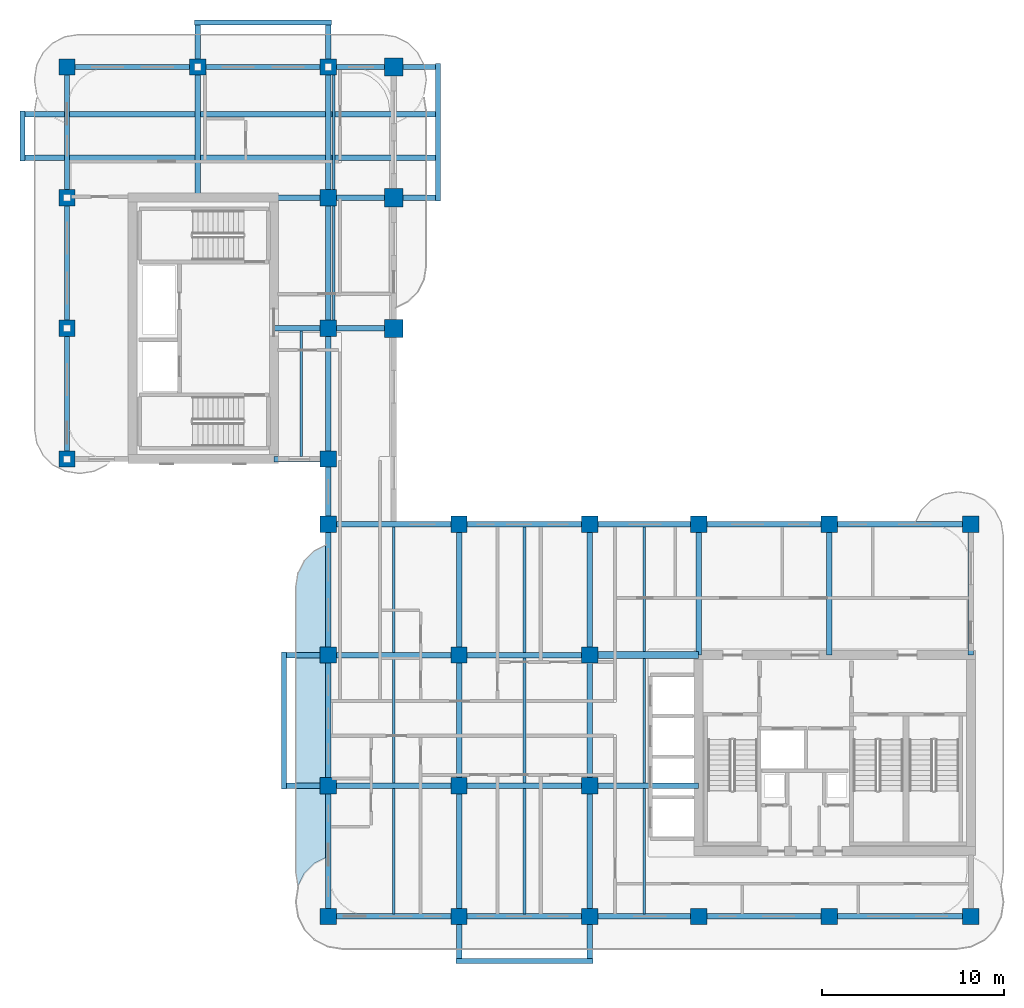
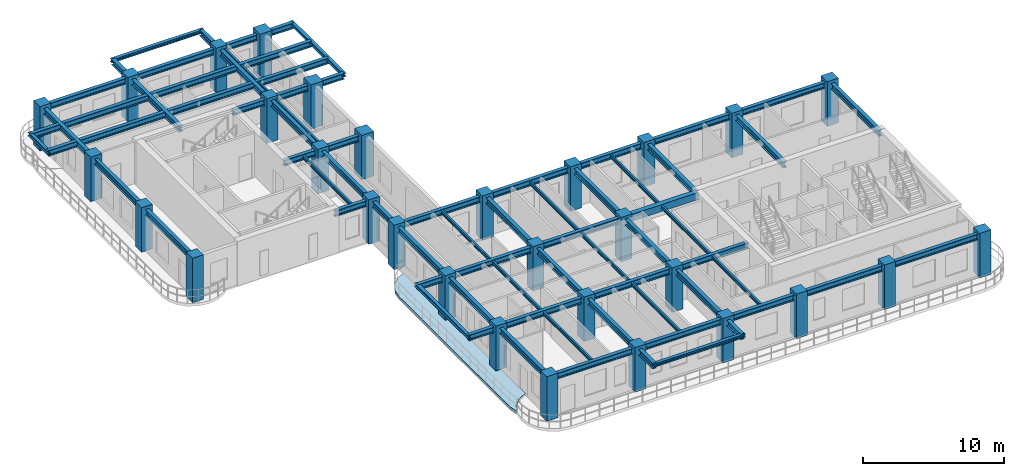
# One storey, part 1 of 14: 60 beams, 30 columns, 1 slab.
"""IFC4 building model written with IfcOpenShell, lengths in metres."""

from ifc_helpers import new_model, si_unit, derived_unit, direction, frame, origin, origin_2d, place, context, subcontext, project, spatial, polyline, rectangle, i_section, outline, extrude, source, transform, mapped, material, layer, layer_set, material_profile, profile_set, type_object, type_shapes, element, save


model = new_model("IFC4")

# Units and contexts
model_context = context("Model", 3, precision=1e-05, world=origin(), true_north=direction((0.0, 1.0)))
body_context = subcontext(model_context, "Body", "Model", "MODEL_VIEW")
ifc_project = project(units=[si_unit("LENGTHUNIT", "METRE"), si_unit("AREAUNIT", "SQUARE_METRE"), si_unit("VOLUMEUNIT", "CUBIC_METRE"), si_unit("PLANEANGLEUNIT", "RADIAN"), si_unit("MASSUNIT", "GRAM", prefix="KILO"), si_unit("THERMODYNAMICTEMPERATUREUNIT", "KELVIN"), si_unit("POWERUNIT", "WATT"), derived_unit("THERMALTRANSMITTANCEUNIT", [(si_unit("POWERUNIT", "WATT"), 1), (si_unit("AREAUNIT", "SQUARE_METRE"), -1), (si_unit("THERMODYNAMICTEMPERATUREUNIT", "KELVIN"), -1)])], contexts=[model_context])

# Site, building, storey
site_placement = place(None, origin())
site = spatial("IfcSite", under=ifc_project, at=site_placement, CompositionType="ELEMENT")
building_placement = place(site_placement, origin())
building = spatial("IfcBuilding", under=site, at=building_placement, Name="Zahravan Archway Hotel and Residences", CompositionType="ELEMENT")
storey_placement = place(building_placement, frame((0.0, 0.0, 205.75)))
storey = spatial("IfcBuildingStorey", under=building, at=storey_placement, Name="L51", CompositionType="ELEMENT", Elevation=205.75)

# Columns
ifc_material_1 = material(Name="Concrete C60/75", Category="concrete")
ifc_material_profile_1 = material_profile(ifc_material_1, rectangle(XDim=1.0, YDim=1.0, at=origin_2d()), Name="RC-COL-1000x1000", Category="concrete")
ifc_profile_set_1 = profile_set([ifc_material_profile_1], Name="Concrete C60/75")
column_type_1 = type_object("IfcColumnType", Name="COL-RC-1000", PredefinedType="COLUMN", material=ifc_profile_set_1)
shared_shape_1 = source(origin(), body_context, "Body", "SweptSolid", [
    extrude(rectangle(XDim=1.0, YDim=1.0, at=origin_2d()), origin(), (0.0, 0.0, 1.0), 3.85009765625),
])
for number, where, z_axis, x_axis, name in (
    (1, (18.0, 32.39990234375, 0.0), (0.0, 0.0, 1.0), (1.0, 0.0, 0.0), "L51 Column 3B-F"),
    (2, (18.0, 39.60009765625, 0.0), (0.0, 0.0, 1.0), (1.0, 0.0, 0.0), "L51 Column 3B-G"),
    (3, (18.0, 46.800048828125, 0.0), (0.0, 0.0, 1.0), (1.0, 0.0, 0.0), "L51 Column 3B-H"),
):
    element("IfcColumn", number, at=place(storey_placement, frame(where, z_axis=z_axis, x_axis=x_axis)), inside=storey, type_object=column_type_1, Name=name, PredefinedType="COLUMN", context=body_context, shape_type="MappedRepresentation", body=[
        mapped(shared_shape_1, transform((0.0, 0.0, 0.0), scale=1.0)),
    ])
ifc_material_profile_2 = material_profile(ifc_material_1, rectangle(XDim=0.89990234375, YDim=0.89990234375, at=origin_2d()), Name="RC-COL-900x900", Category="concrete")
ifc_profile_set_2 = profile_set([ifc_material_profile_2], Name="Concrete C60/75")
column_type_2 = type_object("IfcColumnType", Name="COL-RC-900", PredefinedType="COLUMN", material=ifc_profile_set_2)
shared_shape_2 = source(origin(), body_context, "Body", "SweptSolid", [
    extrude(rectangle(XDim=0.89990234375, YDim=0.89990234375, at=origin_2d()), origin(), (0.0, 0.0, 1.0), 3.85009765625),
])
type_shapes(column_type_2, [shared_shape_2])
for number, where, z_axis, x_axis, name in (
    (4, (0.0, 25.199951171875, 0.0), (0.0, 0.0, 1.0), (1.0, 0.0, 0.0), "L51 Column 1-E"),
    (5, (0.0, 32.39990234375, 0.0), (0.0, 0.0, 1.0), (1.0, 0.0, 0.0), "L51 Column 1-F"),
    (6, (0.0, 39.60009765625, 0.0), (0.0, 0.0, 1.0), (1.0, 0.0, 0.0), "L51 Column 1-G"),
    (7, (0.0, 46.800048828125, 0.0), (0.0, 0.0, 1.0), (1.0, 0.0, 0.0), "L51 Column 1-H"),
    (8, (7.199951171875, 46.800048828125, 0.0), (0.0, 0.0, 1.0), (1.0, 0.0, 0.0), "L51 Column 2-H"),
    (9, (14.39990234375, 0.0, 0.0), (0.0, 0.0, 1.0), (1.0, 0.0, 0.0), "L51 Column 3-A"),
    (10, (14.39990234375, 7.199951171875, 0.0), (0.0, 0.0, 1.0), (1.0, 0.0, 0.0), "L51 Column 3-B"),
    (11, (14.39990234375, 14.39990234375, 0.0), (0.0, 0.0, 1.0), (1.0, 0.0, 0.0), "L51 Column 3-C"),
    (12, (14.39990234375, 21.60009765625, 0.0), (0.0, 0.0, 1.0), (1.0, 0.0, 0.0), "L51 Column 3-D"),
    (13, (14.39990234375, 25.199951171875, 0.0), (0.0, 0.0, 1.0), (1.0, 0.0, 0.0), "L51 Column 3-E"),
    (14, (14.39990234375, 32.39990234375, 0.0), (0.0, 0.0, 1.0), (1.0, 0.0, 0.0), "L51 Column 3-F"),
    (15, (14.39990234375, 39.60009765625, 0.0), (0.0, 0.0, 1.0), (1.0, 0.0, 0.0), "L51 Column 3-G"),
    (16, (14.39990234375, 46.800048828125, 0.0), (0.0, 0.0, 1.0), (1.0, 0.0, 0.0), "L51 Column 3-H"),
    (17, (21.60009765625, 0.0, 0.0), (0.0, 0.0, 1.0), (1.0, 0.0, 0.0), "L51 Column 4-A"),
    (18, (21.60009765625, 7.199951171875, 0.0), (0.0, 0.0, 1.0), (1.0, 0.0, 0.0), "L51 Column 4-B"),
    (19, (21.60009765625, 14.39990234375, 0.0), (0.0, 0.0, 1.0), (1.0, 0.0, 0.0), "L51 Column 4-C"),
    (20, (21.60009765625, 21.60009765625, 0.0), (0.0, 0.0, 1.0), (1.0, 0.0, 0.0), "L51 Column 4-D"),
    (21, (28.800048828125, 0.0, 0.0), (0.0, 0.0, 1.0), (1.0, 0.0, 0.0), "L51 Column 5-A"),
    (22, (28.800048828125, 7.199951171875, 0.0), (0.0, 0.0, 1.0), (1.0, 0.0, 0.0), "L51 Column 5-B"),
    (23, (28.800048828125, 14.39990234375, 0.0), (0.0, 0.0, 1.0), (1.0, 0.0, 0.0), "L51 Column 5-C"),
    (24, (28.800048828125, 21.60009765625, 0.0), (0.0, 0.0, 1.0), (1.0, 0.0, 0.0), "L51 Column 5-D"),
    (25, (34.800048828125, 0.0, 0.0), (0.0, 0.0, 1.0), (1.0, 0.0, 0.0), "L51 Column 6-A"),
    (26, (34.800048828125, 21.60009765625, 0.0), (0.0, 0.0, 1.0), (1.0, 0.0, 0.0), "L51 Column 6-D"),
    (27, (42.0, 0.0, 0.0), (0.0, 0.0, 1.0), (1.0, 0.0, 0.0), "L51 Column 7-A"),
    (28, (42.0, 21.60009765625, 0.0), (0.0, 0.0, 1.0), (1.0, 0.0, 0.0), "L51 Column 7-D"),
    (29, (49.800048828125, 0.0, 0.0), (0.0, 0.0, 1.0), (1.0, 0.0, 0.0), "L51 Column 8-A"),
    (30, (49.800048828125, 21.60009765625, 0.0), (0.0, 0.0, 1.0), (1.0, 0.0, 0.0), "L51 Column 8-D"),
):
    element("IfcColumn", number, at=place(storey_placement, frame(where, z_axis=z_axis, x_axis=x_axis)), inside=storey, type_object=column_type_2, Name=name, PredefinedType="COLUMN", context=body_context, shape_type="MappedRepresentation", body=[
        mapped(shared_shape_2, transform((0.0, 0.0, 0.0), scale=1.0)),
    ])

# Beams
ifc_material_2 = material(Name="Structural Steel S355JR", Category="steel")
ifc_material_profile_3 = material_profile(ifc_material_2, i_section(OverallWidth=0.280029296875, OverallDepth=0.280029296875, WebThickness=0.010498046875, FlangeThickness=0.01806640625, FilletRadius=0.02392578125, at=origin_2d()), Name="HEB 280", Category="steel")
ifc_profile_set_3 = profile_set([ifc_material_profile_3], Name="Structural Steel S355JR")
beam_type_1 = type_object("IfcBeamType", Name="BM-SPN-HEB280", PredefinedType="SPANDREL", material=ifc_profile_set_3)
shared_shape_3 = source(origin(), body_context, "Body", "SweptSolid", [
    extrude(i_section(OverallWidth=0.280029296875, OverallDepth=0.280029296875, WebThickness=0.010498046875, FlangeThickness=0.01806640625, FilletRadius=0.02392578125, at=origin_2d()), origin(), (0.0, 0.0, 1.0), 7.56005859375),
])
type_shapes(beam_type_1, [shared_shape_3])
for number, where, z_axis, x_axis, name in (
    (31, (11.949951171875, 7.02001953125, 3.4599609375), (0.0, 1.0, 0.0), (-1.0, 0.0, 0.0), "L52 WA Balcony Edge Spandrel"),
    (32, (20.449951171875, 39.419921875, 3.4599609375), (0.0, 1.0, 0.0), (-1.0, 0.0, 0.0), "L52 EB Balcony Edge Spandrel"),
    (33, (21.419921875, -2.449951171875, 3.4599609375), (1.0, 0.0, 0.0), (0.0, 1.0, 0.0), "L52 SA Balcony Edge Spandrel"),
    (34, (7.02001953125, 49.25, 3.4599609375), (1.0, 0.0, 0.0), (0.0, 1.0, 0.0), "L52 NB Balcony Edge Spandrel"),
):
    element("IfcBeam", number, at=place(storey_placement, frame(where, z_axis=z_axis, x_axis=x_axis)), inside=storey, type_object=beam_type_1, Name=name, PredefinedType="SPANDREL", context=body_context, shape_type="MappedRepresentation", body=[
        mapped(shared_shape_3, transform((0.0, 0.0, 0.0), scale=1.0)),
    ])
shared_shape_4 = source(origin(), body_context, "Body", "SweptSolid", [
    extrude(i_section(OverallWidth=0.280029296875, OverallDepth=0.280029296875, WebThickness=0.010498046875, FlangeThickness=0.01806640625, FilletRadius=0.02392578125, at=origin_2d()), origin(), (0.0, 0.0, 1.0), 2.759765625),
])
beam_1_placement = place(storey_placement, frame((-2.449951171875, 41.6201171875, 3.4599609375), z_axis=(0.0, 1.0, 0.0), x_axis=(-1.0, 0.0, 0.0)))
element("IfcBeam", 35, at=beam_1_placement, inside=storey, type_object=beam_type_1, Name="L52 WB Balcony Edge Spandrel", PredefinedType="SPANDREL", context=body_context, shape_type="MappedRepresentation", body=[
    mapped(shared_shape_4, transform((0.0, 0.0, 0.0), scale=1.0)),
])
ifc_material_profile_4 = material_profile(ifc_material_1, rectangle(XDim=0.39990234375, YDim=0.60009765625, at=origin_2d()), Name="RC-LNT-400x600", Category="concrete")
ifc_profile_set_4 = profile_set([ifc_material_profile_4], Name="Concrete C60/75")
beam_type_2 = type_object("IfcBeamType", Name="LNT-RC-400x600", PredefinedType="LINTEL", material=ifc_profile_set_4)
shared_shape_5 = source(origin(), body_context, "Body", "SweptSolid", [
    extrude(rectangle(XDim=0.39990234375, YDim=0.60009765625, at=origin_2d()), origin(), (0.0, 0.0, 1.0), 6.0),
])
type_shapes(beam_type_2, [shared_shape_5])
beam_2_placement = place(storey_placement, frame((28.800048828125, 14.39990234375, 3.300048828125), z_axis=(1.0, 0.0, 0.0), x_axis=(0.0, 1.0, 0.0)))
element("IfcBeam", 36, at=beam_2_placement, inside=storey, type_object=beam_type_2, Name="L51 Core A Coupling Lintel Beam", PredefinedType="LINTEL", context=body_context, shape_type="MappedRepresentation", body=[
    mapped(shared_shape_5, transform((0.0, 0.0, 0.0), scale=1.0)),
])
ifc_material_profile_5 = material_profile(ifc_material_2, i_section(OverallWidth=0.300048828125, OverallDepth=0.5, WebThickness=0.014404296875, FlangeThickness=0.028076171875, FilletRadius=0.027099609375, at=origin_2d()), Name="HEB 500", Category="steel")
ifc_profile_set_5 = profile_set([ifc_material_profile_5], Name="Structural Steel S355JR")
beam_type_3 = type_object("IfcBeamType", Name="BM-PRI-HEB500", PredefinedType="BEAM", material=ifc_profile_set_5)
shared_shape_6 = source(origin(), body_context, "Body", "SweptSolid", [
    extrude(i_section(OverallWidth=0.300048828125, OverallDepth=0.5, WebThickness=0.014404296875, FlangeThickness=0.028076171875, FilletRadius=0.027099609375, at=origin_2d()), origin(), (0.0, 0.0, 1.0), 7.2001953125),
])
type_shapes(beam_type_3, [shared_shape_6])
for number, where, z_axis, x_axis, name in (
    (37, (14.39990234375, 0.0, 3.35009765625), (1.0, 0.0, 0.0), (0.0, 1.0, 0.0), "L51 Primary Girder EW-01"),
    (38, (14.39990234375, 21.60009765625, 3.35009765625), (1.0, 0.0, 0.0), (0.0, 1.0, 0.0), "L51 Primary Girder EW-11"),
    (39, (0.0, 32.39990234375, 3.35009765625), (0.0, 1.0, 0.0), (-1.0, 0.0, 0.0), "L51 Primary Girder NS-24"),
    (40, (14.39990234375, 14.39990234375, 3.35009765625), (0.0, 1.0, 0.0), (-1.0, 0.0, 0.0), "L51 Primary Girder NS-29"),
    (41, (14.39990234375, 32.39990234375, 3.35009765625), (0.0, 1.0, 0.0), (-1.0, 0.0, 0.0), "L51 Primary Girder NS-32"),
    (42, (21.60009765625, 14.39990234375, 3.35009765625), (0.0, 1.0, 0.0), (-1.0, 0.0, 0.0), "L51 Primary Girder NS-36"),
    (43, (28.800048828125, 14.39990234375, 3.35009765625), (0.0, 1.0, 0.0), (-1.0, 0.0, 0.0), "L51 Primary Girder NS-39"),
    (44, (34.800048828125, 14.39990234375, 3.35009765625), (0.0, 1.0, 0.0), (-1.0, 0.0, 0.0), "L51 Primary Girder NS-40"),
    (45, (42.0, 14.39990234375, 3.35009765625), (0.0, 1.0, 0.0), (-1.0, 0.0, 0.0), "L51 Primary Girder NS-41"),
    (46, (49.800048828125, 14.39990234375, 3.35009765625), (0.0, 1.0, 0.0), (-1.0, 0.0, 0.0), "L51 Primary Girder NS-42"),
):
    element("IfcBeam", number, at=place(storey_placement, frame(where, z_axis=z_axis, x_axis=x_axis)), inside=storey, type_object=beam_type_3, Name=name, PredefinedType="BEAM", context=body_context, shape_type="MappedRepresentation", body=[
        mapped(shared_shape_6, transform((0.0, 0.0, 0.0), scale=1.0)),
    ])
shared_shape_7 = source(origin(), body_context, "Body", "SweptSolid", [
    extrude(i_section(OverallWidth=0.300048828125, OverallDepth=0.5, WebThickness=0.014404296875, FlangeThickness=0.028076171875, FilletRadius=0.027099609375, at=origin_2d()), origin(), (0.0, 0.0, 1.0), 7.199951171875),
])
for number, where, z_axis, x_axis, name in (
    (47, (21.60009765625, 0.0, 3.35009765625), (1.0, 0.0, 0.0), (0.0, 1.0, 0.0), "L51 Primary Girder EW-02"),
    (48, (34.800048828125, 0.0, 3.35009765625), (1.0, 0.0, 0.0), (0.0, 1.0, 0.0), "L51 Primary Girder EW-04"),
    (49, (21.60009765625, 7.199951171875, 3.35009765625), (1.0, 0.0, 0.0), (0.0, 1.0, 0.0), "L51 Primary Girder EW-07"),
    (50, (21.60009765625, 14.39990234375, 3.35009765625), (1.0, 0.0, 0.0), (0.0, 1.0, 0.0), "L51 Primary Girder EW-10"),
    (51, (21.60009765625, 21.60009765625, 3.35009765625), (1.0, 0.0, 0.0), (0.0, 1.0, 0.0), "L51 Primary Girder EW-12"),
    (52, (34.800048828125, 21.60009765625, 3.35009765625), (1.0, 0.0, 0.0), (0.0, 1.0, 0.0), "L51 Primary Girder EW-14"),
    (53, (0.0, 46.800048828125, 3.35009765625), (1.0, 0.0, 0.0), (0.0, 1.0, 0.0), "L51 Primary Girder EW-19"),
    (54, (0.0, 25.199951171875, 3.35009765625), (0.0, 1.0, 0.0), (-1.0, 0.0, 0.0), "L51 Primary Girder NS-23"),
    (55, (0.0, 39.60009765625, 3.35009765625), (0.0, 1.0, 0.0), (-1.0, 0.0, 0.0), "L51 Primary Girder NS-25"),
    (56, (14.39990234375, 0.0, 3.35009765625), (0.0, 1.0, 0.0), (-1.0, 0.0, 0.0), "L51 Primary Girder NS-27"),
    (57, (14.39990234375, 7.199951171875, 3.35009765625), (0.0, 1.0, 0.0), (-1.0, 0.0, 0.0), "L51 Primary Girder NS-28"),
    (58, (14.39990234375, 25.199951171875, 3.35009765625), (0.0, 1.0, 0.0), (-1.0, 0.0, 0.0), "L51 Primary Girder NS-31"),
    (59, (21.60009765625, 7.199951171875, 3.35009765625), (0.0, 1.0, 0.0), (-1.0, 0.0, 0.0), "L51 Primary Girder NS-35"),
    (60, (28.800048828125, 7.199951171875, 3.35009765625), (0.0, 1.0, 0.0), (-1.0, 0.0, 0.0), "L51 Primary Girder NS-38"),
):
    element("IfcBeam", number, at=place(storey_placement, frame(where, z_axis=z_axis, x_axis=x_axis)), inside=storey, type_object=beam_type_3, Name=name, PredefinedType="BEAM", context=body_context, shape_type="MappedRepresentation", body=[
        mapped(shared_shape_7, transform((0.0, 0.0, 0.0), scale=1.0)),
    ])
shared_shape_8 = source(origin(), body_context, "Body", "SweptSolid", [
    extrude(i_section(OverallWidth=0.300048828125, OverallDepth=0.5, WebThickness=0.014404296875, FlangeThickness=0.028076171875, FilletRadius=0.027099609375, at=origin_2d()), origin(), (0.0, 0.0, 1.0), 6.0),
])
for number, where, z_axis, x_axis, name in (
    (61, (28.800048828125, 0.0, 3.35009765625), (1.0, 0.0, 0.0), (0.0, 1.0, 0.0), "L51 Primary Girder EW-03"),
    (62, (28.800048828125, 7.199951171875, 3.35009765625), (1.0, 0.0, 0.0), (0.0, 1.0, 0.0), "L51 Primary Girder EW-08"),
    (63, (28.800048828125, 21.60009765625, 3.35009765625), (1.0, 0.0, 0.0), (0.0, 1.0, 0.0), "L51 Primary Girder EW-13"),
):
    element("IfcBeam", number, at=place(storey_placement, frame(where, z_axis=z_axis, x_axis=x_axis)), inside=storey, type_object=beam_type_3, Name=name, PredefinedType="BEAM", context=body_context, shape_type="MappedRepresentation", body=[
        mapped(shared_shape_8, transform((0.0, 0.0, 0.0), scale=1.0)),
    ])
shared_shape_9 = source(origin(), body_context, "Body", "SweptSolid", [
    extrude(i_section(OverallWidth=0.300048828125, OverallDepth=0.5, WebThickness=0.014404296875, FlangeThickness=0.028076171875, FilletRadius=0.027099609375, at=origin_2d()), origin(), (0.0, 0.0, 1.0), 7.800048828125),
])
for number, where, z_axis, x_axis, name in (
    (64, (42.0, 0.0, 3.35009765625), (1.0, 0.0, 0.0), (0.0, 1.0, 0.0), "L51 Primary Girder EW-05"),
    (65, (42.0, 21.60009765625, 3.35009765625), (1.0, 0.0, 0.0), (0.0, 1.0, 0.0), "L51 Primary Girder EW-15"),
):
    element("IfcBeam", number, at=place(storey_placement, frame(where, z_axis=z_axis, x_axis=x_axis)), inside=storey, type_object=beam_type_3, Name=name, PredefinedType="BEAM", context=body_context, shape_type="MappedRepresentation", body=[
        mapped(shared_shape_9, transform((0.0, 0.0, 0.0), scale=1.0)),
    ])
shared_shape_10 = source(origin(), body_context, "Body", "SweptSolid", [
    extrude(i_section(OverallWidth=0.300048828125, OverallDepth=0.5, WebThickness=0.014404296875, FlangeThickness=0.028076171875, FilletRadius=0.027099609375, at=origin_2d()), origin(), (0.0, 0.0, 1.0), 9.650146484375),
])
for number, where, z_axis, x_axis, name in (
    (66, (11.949951171875, 7.199951171875, 3.35009765625), (1.0, 0.0, 0.0), (0.0, 1.0, 0.0), "L51 Primary Girder EW-06"),
    (67, (11.949951171875, 14.39990234375, 3.35009765625), (1.0, 0.0, 0.0), (0.0, 1.0, 0.0), "L51 Primary Girder EW-09"),
):
    element("IfcBeam", number, at=place(storey_placement, frame(where, z_axis=z_axis, x_axis=x_axis)), inside=storey, type_object=beam_type_3, Name=name, PredefinedType="BEAM", context=body_context, shape_type="MappedRepresentation", body=[
        mapped(shared_shape_10, transform((0.0, 0.0, 0.0), scale=1.0)),
    ])
shared_shape_11 = source(origin(), body_context, "Body", "SweptSolid", [
    extrude(i_section(OverallWidth=0.300048828125, OverallDepth=0.5, WebThickness=0.014404296875, FlangeThickness=0.028076171875, FilletRadius=0.027099609375, at=origin_2d()), origin(), (0.0, 0.0, 1.0), 3.0),
])
beam_3_placement = place(storey_placement, frame((11.39990234375, 25.199951171875, 3.35009765625), z_axis=(1.0, 0.0, 0.0), x_axis=(0.0, 1.0, 0.0)))
element("IfcBeam", 68, at=beam_3_placement, inside=storey, type_object=beam_type_3, Name="L51 Primary Girder EW-16", PredefinedType="BEAM", context=body_context, shape_type="MappedRepresentation", body=[
    mapped(shared_shape_11, transform((0.0, 0.0, 0.0), scale=1.0)),
])
shared_shape_12 = source(origin(), body_context, "Body", "SweptSolid", [
    extrude(i_section(OverallWidth=0.300048828125, OverallDepth=0.5, WebThickness=0.014404296875, FlangeThickness=0.028076171875, FilletRadius=0.027099609375, at=origin_2d()), origin(), (0.0, 0.0, 1.0), 6.60009765625),
])
beam_4_placement = place(storey_placement, frame((11.39990234375, 32.39990234375, 3.35009765625), z_axis=(1.0, 0.0, 0.0), x_axis=(0.0, 1.0, 0.0)))
element("IfcBeam", 69, at=beam_4_placement, inside=storey, type_object=beam_type_3, Name="L51 Primary Girder EW-17", PredefinedType="BEAM", context=body_context, shape_type="MappedRepresentation", body=[
    mapped(shared_shape_12, transform((0.0, 0.0, 0.0), scale=1.0)),
])
shared_shape_13 = source(origin(), body_context, "Body", "SweptSolid", [
    extrude(i_section(OverallWidth=0.300048828125, OverallDepth=0.5, WebThickness=0.014404296875, FlangeThickness=0.028076171875, FilletRadius=0.027099609375, at=origin_2d()), origin(), (0.0, 0.0, 1.0), 9.050048828125),
])
beam_5_placement = place(storey_placement, frame((11.39990234375, 39.60009765625, 3.35009765625), z_axis=(1.0, 0.0, 0.0), x_axis=(0.0, 1.0, 0.0)))
element("IfcBeam", 70, at=beam_5_placement, inside=storey, type_object=beam_type_3, Name="L51 Primary Girder EW-18", PredefinedType="BEAM", context=body_context, shape_type="MappedRepresentation", body=[
    mapped(shared_shape_13, transform((0.0, 0.0, 0.0), scale=1.0)),
])
shared_shape_14 = source(origin(), body_context, "Body", "SweptSolid", [
    extrude(i_section(OverallWidth=0.300048828125, OverallDepth=0.5, WebThickness=0.014404296875, FlangeThickness=0.028076171875, FilletRadius=0.027099609375, at=origin_2d()), origin(), (0.0, 0.0, 1.0), 13.25),
])
beam_6_placement = place(storey_placement, frame((7.199951171875, 46.800048828125, 3.35009765625), z_axis=(1.0, 0.0, 0.0), x_axis=(0.0, 1.0, 0.0)))
element("IfcBeam", 71, at=beam_6_placement, inside=storey, type_object=beam_type_3, Name="L51 Primary Girder EW-20", PredefinedType="BEAM", context=body_context, shape_type="MappedRepresentation", body=[
    mapped(shared_shape_14, transform((0.0, 0.0, 0.0), scale=1.0)),
])
shared_shape_15 = source(origin(), body_context, "Body", "SweptSolid", [
    extrude(i_section(OverallWidth=0.300048828125, OverallDepth=0.5, WebThickness=0.014404296875, FlangeThickness=0.028076171875, FilletRadius=0.027099609375, at=origin_2d()), origin(), (0.0, 0.0, 1.0), 22.89990234375),
])
for number, where, z_axis, x_axis, name in (
    (72, (-2.449951171875, 41.800048828125, 3.35009765625), (1.0, 0.0, 0.0), (0.0, 1.0, 0.0), "L51 Primary Girder EW-21"),
    (73, (-2.449951171875, 44.199951171875, 3.35009765625), (1.0, 0.0, 0.0), (0.0, 1.0, 0.0), "L51 Primary Girder EW-22"),
):
    element("IfcBeam", number, at=place(storey_placement, frame(where, z_axis=z_axis, x_axis=x_axis)), inside=storey, type_object=beam_type_3, Name=name, PredefinedType="BEAM", context=body_context, shape_type="MappedRepresentation", body=[
        mapped(shared_shape_15, transform((0.0, 0.0, 0.0), scale=1.0)),
    ])
shared_shape_16 = source(origin(), body_context, "Body", "SweptSolid", [
    extrude(i_section(OverallWidth=0.300048828125, OverallDepth=0.5, WebThickness=0.014404296875, FlangeThickness=0.028076171875, FilletRadius=0.027099609375, at=origin_2d()), origin(), (0.0, 0.0, 1.0), 9.64990234375),
])
for number, where, z_axis, x_axis, name in (
    (74, (7.199951171875, 39.60009765625, 3.35009765625), (0.0, 1.0, 0.0), (-1.0, 0.0, 0.0), "L51 Primary Girder NS-26"),
    (75, (14.39990234375, 39.60009765625, 3.35009765625), (0.0, 1.0, 0.0), (-1.0, 0.0, 0.0), "L51 Primary Girder NS-33"),
    (76, (21.60009765625, -2.449951171875, 3.35009765625), (0.0, 1.0, 0.0), (-1.0, 0.0, 0.0), "L51 Primary Girder NS-34"),
    (77, (28.800048828125, -2.449951171875, 3.35009765625), (0.0, 1.0, 0.0), (-1.0, 0.0, 0.0), "L51 Primary Girder NS-37"),
):
    element("IfcBeam", number, at=place(storey_placement, frame(where, z_axis=z_axis, x_axis=x_axis)), inside=storey, type_object=beam_type_3, Name=name, PredefinedType="BEAM", context=body_context, shape_type="MappedRepresentation", body=[
        mapped(shared_shape_16, transform((0.0, 0.0, 0.0), scale=1.0)),
    ])
shared_shape_17 = source(origin(), body_context, "Body", "SweptSolid", [
    extrude(i_section(OverallWidth=0.300048828125, OverallDepth=0.5, WebThickness=0.014404296875, FlangeThickness=0.028076171875, FilletRadius=0.027099609375, at=origin_2d()), origin(), (0.0, 0.0, 1.0), 3.599853515625),
])
beam_7_placement = place(storey_placement, frame((14.39990234375, 21.60009765625, 3.35009765625), z_axis=(0.0, 1.0, 0.0), x_axis=(-1.0, 0.0, 0.0)))
element("IfcBeam", 78, at=beam_7_placement, inside=storey, type_object=beam_type_3, Name="L51 Primary Girder NS-30", PredefinedType="BEAM", context=body_context, shape_type="MappedRepresentation", body=[
    mapped(shared_shape_17, transform((0.0, 0.0, 0.0), scale=1.0)),
])
ifc_material_profile_6 = material_profile(ifc_material_2, i_section(OverallWidth=0.14990234375, OverallDepth=0.300048828125, WebThickness=0.007080078125, FlangeThickness=0.0107421875, FilletRadius=0.014892578125, at=origin_2d()), Name="IPE 300", Category="steel")
ifc_profile_set_6 = profile_set([ifc_material_profile_6], Name="Structural Steel S355JR")
beam_type_4 = type_object("IfcBeamType", Name="BM-JST-IPE300", PredefinedType="JOIST", material=ifc_profile_set_6)
shared_shape_18 = source(origin(), body_context, "Body", "SweptSolid", [
    extrude(i_section(OverallWidth=0.14990234375, OverallDepth=0.300048828125, WebThickness=0.007080078125, FlangeThickness=0.0107421875, FilletRadius=0.014892578125, at=origin_2d()), origin(), (0.0, 0.0, 1.0), 6.904052734375),
])
type_shapes(beam_type_4, [shared_shape_18])
for number, where, z_axis, x_axis, name in (
    (79, (18.0, 0.14794921875, 3.449951171875), (0.0, 1.0, 0.0), (-1.0, 0.0, 0.0), "L51 Composite Floor Joist 01"),
    (80, (25.199951171875, 0.14794921875, 3.449951171875), (0.0, 1.0, 0.0), (-1.0, 0.0, 0.0), "L51 Composite Floor Joist 02"),
    (81, (31.800048828125, 0.14794921875, 3.449951171875), (0.0, 1.0, 0.0), (-1.0, 0.0, 0.0), "L51 Composite Floor Joist 03"),
    (82, (18.0, 7.347900390625, 3.449951171875), (0.0, 1.0, 0.0), (-1.0, 0.0, 0.0), "L51 Composite Floor Joist 04"),
    (83, (25.199951171875, 7.347900390625, 3.449951171875), (0.0, 1.0, 0.0), (-1.0, 0.0, 0.0), "L51 Composite Floor Joist 05"),
    (84, (12.89990234375, 25.347900390625, 3.449951171875), (0.0, 1.0, 0.0), (-1.0, 0.0, 0.0), "L51 Composite Floor Joist 10"),
    (85, (14.699951171875, 39.748046875, 3.449951171875), (0.0, 1.0, 0.0), (-1.0, 0.0, 0.0), "L51 Composite Floor Joist 12"),
):
    element("IfcBeam", number, at=place(storey_placement, frame(where, z_axis=z_axis, x_axis=x_axis)), inside=storey, type_object=beam_type_4, Name=name, PredefinedType="JOIST", context=body_context, shape_type="MappedRepresentation", body=[
        mapped(shared_shape_18, transform((0.0, 0.0, 0.0), scale=1.0)),
    ])
shared_shape_19 = source(origin(), body_context, "Body", "SweptSolid", [
    extrude(i_section(OverallWidth=0.14990234375, OverallDepth=0.300048828125, WebThickness=0.007080078125, FlangeThickness=0.0107421875, FilletRadius=0.014892578125, at=origin_2d()), origin(), (0.0, 0.0, 1.0), 6.85400390625),
])
for number, where, z_axis, x_axis, name in (
    (86, (31.800048828125, 7.347900390625, 3.449951171875), (0.0, 1.0, 0.0), (-1.0, 0.0, 0.0), "L51 Composite Floor Joist 06"),
    (87, (31.800048828125, 14.597900390625, 3.449951171875), (0.0, 1.0, 0.0), (-1.0, 0.0, 0.0), "L51 Composite Floor Joist 07"),
):
    element("IfcBeam", number, at=place(storey_placement, frame(where, z_axis=z_axis, x_axis=x_axis)), inside=storey, type_object=beam_type_4, Name=name, PredefinedType="JOIST", context=body_context, shape_type="MappedRepresentation", body=[
        mapped(shared_shape_19, transform((0.0, 0.0, 0.0), scale=1.0)),
    ])
shared_shape_20 = source(origin(), body_context, "Body", "SweptSolid", [
    extrude(i_section(OverallWidth=0.14990234375, OverallDepth=0.300048828125, WebThickness=0.007080078125, FlangeThickness=0.0107421875, FilletRadius=0.014892578125, at=origin_2d()), origin(), (0.0, 0.0, 1.0), 6.90380859375),
])
for number, where, z_axis, x_axis, name in (
    (88, (18.0, 14.548095703125, 3.449951171875), (0.0, 1.0, 0.0), (-1.0, 0.0, 0.0), "L51 Composite Floor Joist 08"),
    (89, (25.199951171875, 14.548095703125, 3.449951171875), (0.0, 1.0, 0.0), (-1.0, 0.0, 0.0), "L51 Composite Floor Joist 09"),
    (90, (14.699951171875, 32.548095703125, 3.449951171875), (0.0, 1.0, 0.0), (-1.0, 0.0, 0.0), "L51 Composite Floor Joist 11"),
):
    element("IfcBeam", number, at=place(storey_placement, frame(where, z_axis=z_axis, x_axis=x_axis)), inside=storey, type_object=beam_type_4, Name=name, PredefinedType="JOIST", context=body_context, shape_type="MappedRepresentation", body=[
        mapped(shared_shape_20, transform((0.0, 0.0, 0.0), scale=1.0)),
    ])

# Slab
ifc_material_3 = material(Name="Concrete C45/55", Category="concrete")
ifc_layer = layer(ifc_material_3, 0.25, Name="Concrete C45/55", Category="concrete")
ifc_layer_set = layer_set([ifc_layer], Name="Concrete C45/55")
slab_type = type_object("IfcSlabType", Name="SLB-BALC-250", PredefinedType="FLOOR", material=ifc_layer_set)
slab_placement = place(storey_placement, frame((0.0, 0.0, -0.25)))
element("IfcSlab", 91, at=slab_placement, inside=storey, type_object=slab_type, Name="L51 Wing A West Rounded Balcony Band", PredefinedType="FLOOR", context=body_context, shape_type="SweptSolid", body=[
    extrude(outline(polyline([(12.719970703125, 1.69287109375), (12.60009765625, 2.449951171875), (12.60009765625, 18.14990234375), (12.719970703125, 18.906982421875), (13.06787109375, 19.590087890625), (13.60986328125, 20.132080078125), (14.29296875, 20.47998046875), (14.3798828125, 20.493896484375), (14.3798828125, 3.298095703125), (14.37890625, 3.298095703125), (14.376953125, 3.2978515625), (14.35888671875, 3.294921875), (14.356689453125, 3.29443359375), (14.354736328125, 3.2939453125), (14.352783203125, 3.29296875), (13.64208984375, 2.930908203125), (13.64013671875, 2.9296875), (13.638427734375, 2.928466796875), (13.636962890625, 2.927001953125), (13.072998046875, 2.363037109375), (13.071533203125, 2.361572265625), (13.0703125, 2.35986328125), (13.069091796875, 2.35791015625), (12.72509765625, 1.6826171875), (12.719970703125, 1.69287109375)])), origin(), (0.0, 0.0, 1.0), 0.25),
])

save(model, "model.ifc")
